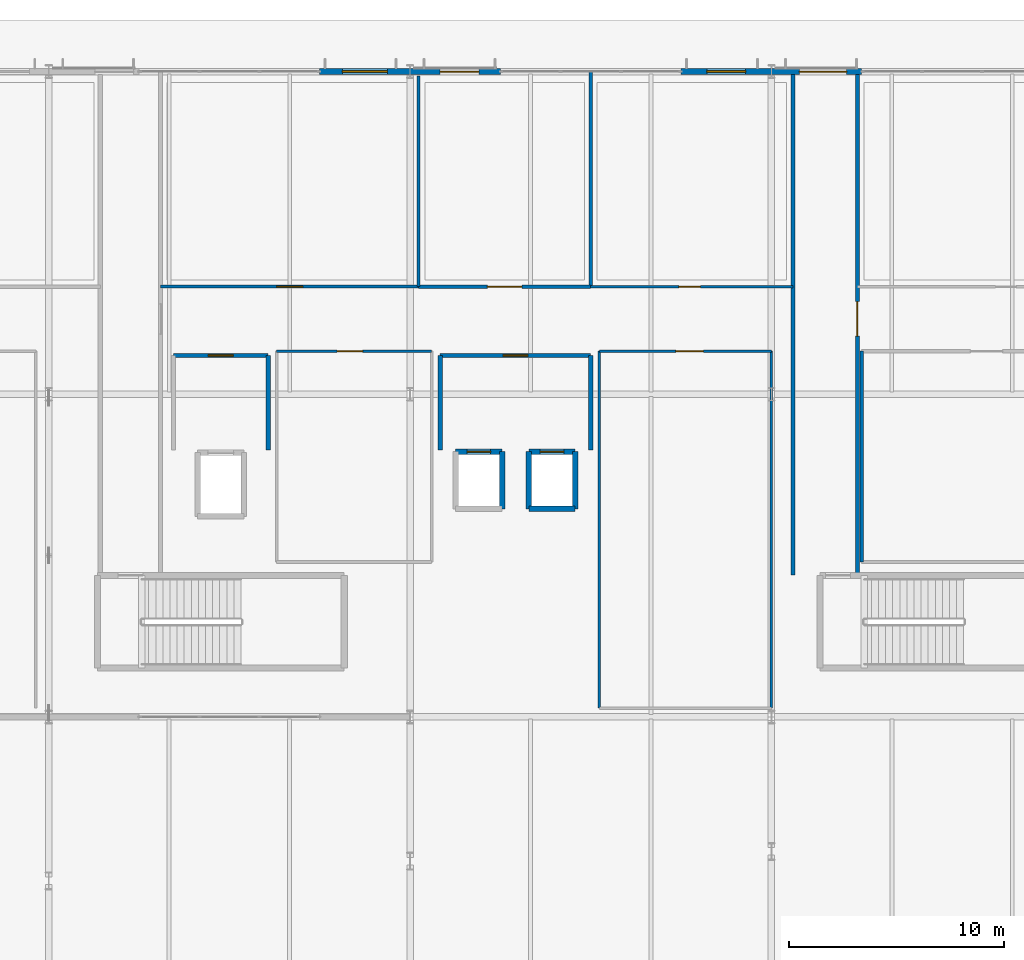
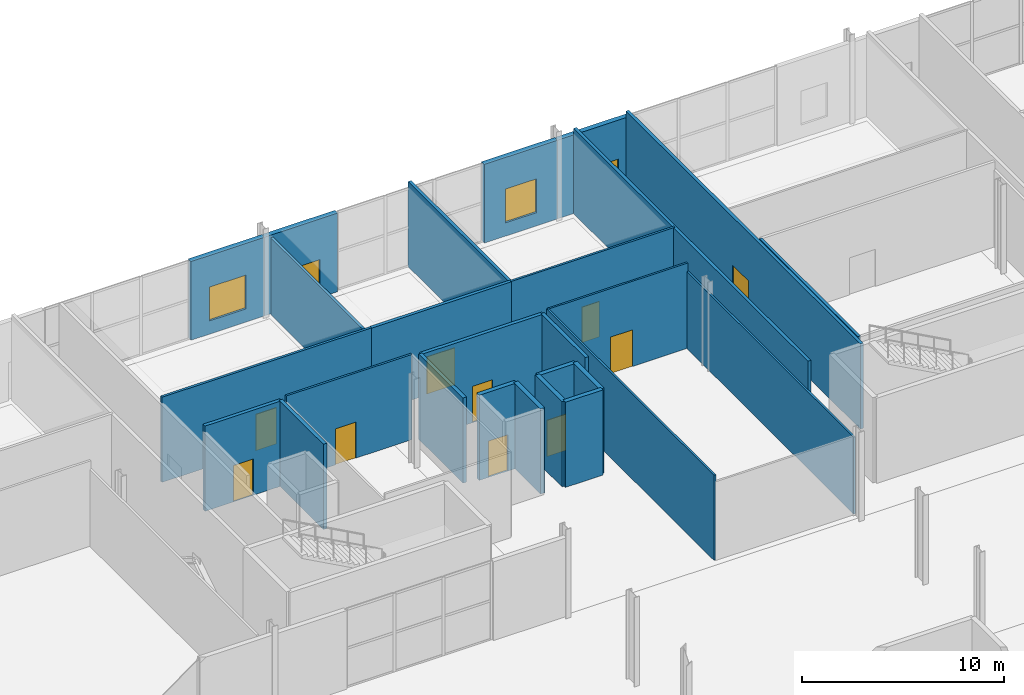
# One storey, part 65 of 87: 27 walls, 12 doors, 2 windows, 14 openings.
"""IFC4 building model written with IfcOpenShell, lengths in metres."""

from ifc_helpers import new_model, si_unit, direction, frame, frame_2d, origin, place, context, subcontext, project, spatial, rectangle, extrude, material, layer, layer_set, type_object, element, fill, save


model = new_model("IFC4")

# Units and contexts
model_context = context("Model", 3, precision=1e-05, world=origin(), true_north=direction((0.0, 1.0)))
body_context = subcontext(model_context, "Body", "Model", "MODEL_VIEW")
ifc_project = project(units=[si_unit("LENGTHUNIT", "METRE"), si_unit("AREAUNIT", "SQUARE_METRE"), si_unit("VOLUMEUNIT", "CUBIC_METRE"), si_unit("PLANEANGLEUNIT", "RADIAN"), si_unit("MASSUNIT", "GRAM", prefix="KILO")], contexts=[model_context])

# Site, building, storey
site_placement = place(None, origin())
site = spatial("IfcSite", under=ifc_project, at=site_placement, CompositionType="ELEMENT")
building_placement = place(site_placement, origin())
building = spatial("IfcBuilding", under=site, at=building_placement, Name="Kimbaza Rail Terminus", CompositionType="ELEMENT")
storey_placement = place(building_placement, origin())
storey = spatial("IfcBuildingStorey", under=building, at=storey_placement, Name="L00", CompositionType="ELEMENT", Elevation=0.0)

# Wall, opening, window
ifc_material_1 = material(Name="Precast concrete C40/50", Category="concrete")
ifc_layer_1 = layer(ifc_material_1, 0.280029296875)
ifc_layer_set_1 = layer_set([ifc_layer_1], Name="Precast concrete C40/50")
wall_type_1 = type_object("IfcWallType", Name="ARC-WL-EXT280", PredefinedType="STANDARD", material=ifc_layer_set_1)
wall_1_placement = place(storey_placement, frame((84.60009765625, 133.0, 0.0), z_axis=(0.0, 0.0, 1.0), x_axis=(1.0, 0.0, 0.0)))
wall_1 = element("IfcWall", 1, at=wall_1_placement, inside=storey, type_object=wall_type_1, Name="Operations North Pier L00 1B", PredefinedType="STANDARD", context=body_context, shape_type="SweptSolid", body=[
    extrude(rectangle(XDim=4.199951171875, YDim=0.280029296875, at=frame_2d((2.10009765625, 0.0))), origin(), (0.0, 0.0, 1.0), 4.764892578125),
])
opening_1_placement = place(wall_1_placement, frame((1.050048828125, 0.0, 0.800048828125)))
opening_1 = element("IfcOpeningElement", 2, at=opening_1_placement, cuts=wall_1, Name="Opening W-02", PredefinedType="OPENING", context=body_context, shape_type="SweptSolid", body=[
    extrude(rectangle(XDim=2.10009765625, YDim=2.050048828125, at=frame_2d((1.050048828125, 1.02490234375))), frame((0.0, 0.14990234375, 0.0), z_axis=(0.0, -1.0, 0.0), x_axis=(1.0, 0.0, 0.0)), (0.0, 0.0, 1.0), 0.300048828125),
])
ifc_material_2 = material(Name="Thermally broken aluminium and solar low-E glass", Category="aluminium")
window_type_1 = type_object("IfcWindowType", Name="ARC-WIN-W-02", PartitioningType="SINGLE_PANEL", PredefinedType="WINDOW", material=ifc_material_2)
window_1_placement = place(opening_1_placement, origin())
window_1 = element("IfcWindow", 3, at=window_1_placement, inside=storey, type_object=window_type_1, Name="North Facade Window W-02", OverallHeight=2.050048828125, OverallWidth=2.10009765625, PartitioningType="SINGLE_PANEL", PredefinedType="WINDOW", context=body_context, shape_type="SweptSolid", body=[
    extrude(rectangle(XDim=2.10009765625, YDim=2.050048828125, at=frame_2d((1.050048828125, 1.02490234375))), frame((0.0, 0.030029296875, 0.0), z_axis=(0.0, -1.0, 0.0), x_axis=(1.0, 0.0, 0.0)), (0.0, 0.0, 1.0), 0.06005859375),
])
fill(opening_1, window_1)

# Wall, opening, door
wall_2_placement = place(storey_placement, frame((88.800048828125, 133.0, 0.0), z_axis=(0.0, 0.0, 1.0), x_axis=(1.0, 0.0, 0.0)))
wall_2 = element("IfcWall", 4, at=wall_2_placement, inside=storey, type_object=wall_type_1, Name="Operations North Pier L00 2A", PredefinedType="STANDARD", context=body_context, shape_type="SweptSolid", body=[
    extrude(rectangle(XDim=4.199951171875, YDim=0.280029296875, at=frame_2d((2.10009765625, 0.0))), origin(), (0.0, 0.0, 1.0), 4.764892578125),
])
opening_2_placement = place(wall_2_placement, frame((1.39990234375, 0.0, 0.0)))
opening_2 = element("IfcOpeningElement", 5, at=opening_2_placement, cuts=wall_2, Name="Opening D-EF1", PredefinedType="OPENING", context=body_context, shape_type="SweptSolid", body=[
    extrude(rectangle(XDim=1.800048828125, YDim=2.300048828125, at=frame_2d((0.89990234375, 1.14990234375))), frame((0.0, 0.14990234375, 0.0), z_axis=(0.0, -1.0, 0.0), x_axis=(1.0, 0.0, 0.0)), (0.0, 0.0, 1.0), 0.300048828125),
])
ifc_material_3 = material(Name="Galvanised painted steel security leaf", Category="steel")
door_type_1 = type_object("IfcDoorType", Name="ARC-DR-EF180", OperationType="NOTDEFINED", PredefinedType="DOOR", material=ifc_material_3)
door_1_placement = place(opening_2_placement, origin())
door_1 = element("IfcDoor", 6, at=door_1_placement, inside=storey, type_object=door_type_1, Name="DR-FCC-EXT", OperationType="SINGLE_SWING_LEFT", OverallHeight=2.300048828125, OverallWidth=1.800048828125, PredefinedType="DOOR", context=body_context, shape_type="SweptSolid", body=[
    extrude(rectangle(XDim=1.800048828125, YDim=2.300048828125, at=frame_2d((0.89990234375, 1.14990234375))), frame((0.0, 0.02490234375, 0.0), z_axis=(0.0, -1.0, 0.0), x_axis=(1.0, 0.0, 0.0)), (0.0, 0.0, 1.0), 0.050048828125),
])
fill(opening_2, door_1)

# Wall, opening, window
wall_3_placement = place(storey_placement, frame((101.39990234375, 133.0, 0.0), z_axis=(0.0, 0.0, 1.0), x_axis=(1.0, 0.0, 0.0)))
wall_3 = element("IfcWall", 7, at=wall_3_placement, inside=storey, type_object=wall_type_1, Name="Operations North Pier L00 2B", PredefinedType="STANDARD", context=body_context, shape_type="SweptSolid", body=[
    extrude(rectangle(XDim=4.2001953125, YDim=0.280029296875, at=frame_2d((2.10009765625, 0.0))), origin(), (0.0, 0.0, 1.0), 4.764892578125),
])
opening_3_placement = place(wall_3_placement, frame((1.199951171875, 0.0, 0.800048828125)))
opening_3 = element("IfcOpeningElement", 8, at=opening_3_placement, cuts=wall_3, Name="Opening W-03", PredefinedType="OPENING", context=body_context, shape_type="SweptSolid", body=[
    extrude(rectangle(XDim=1.800048828125, YDim=2.050048828125, at=frame_2d((0.89990234375, 1.02490234375))), frame((0.0, 0.14990234375, 0.0), z_axis=(0.0, -1.0, 0.0), x_axis=(1.0, 0.0, 0.0)), (0.0, 0.0, 1.0), 0.300048828125),
])
ifc_material_4 = material(Name="Thermally broken aluminium and solar low-E glass", Category="aluminium")
window_type_2 = type_object("IfcWindowType", Name="ARC-WIN-W-03", PartitioningType="SINGLE_PANEL", PredefinedType="WINDOW", material=ifc_material_4)
window_2_placement = place(opening_3_placement, origin())
window_2 = element("IfcWindow", 9, at=window_2_placement, inside=storey, type_object=window_type_2, Name="North Facade Window W-03", OverallHeight=2.050048828125, OverallWidth=1.800048828125, PartitioningType="SINGLE_PANEL", PredefinedType="WINDOW", context=body_context, shape_type="SweptSolid", body=[
    extrude(rectangle(XDim=1.800048828125, YDim=2.050048828125, at=frame_2d((0.89990234375, 1.02490234375))), frame((0.0, 0.030029296875, 0.0), z_axis=(0.0, -1.0, 0.0), x_axis=(1.0, 0.0, 0.0)), (0.0, 0.0, 1.0), 0.06005859375),
])
fill(opening_3, window_2)

# Wall, opening, door
wall_4_placement = place(storey_placement, frame((105.60009765625, 133.0, 0.0), z_axis=(0.0, 0.0, 1.0), x_axis=(1.0, 0.0, 0.0)))
wall_4 = element("IfcWall", 10, at=wall_4_placement, inside=storey, type_object=wall_type_1, Name="Operations North Pier L00 3A", PredefinedType="STANDARD", context=body_context, shape_type="SweptSolid", body=[
    extrude(rectangle(XDim=4.199951171875, YDim=0.280029296875, at=frame_2d((2.10009765625, 0.0))), origin(), (0.0, 0.0, 1.0), 4.764892578125),
])
opening_4_placement = place(wall_4_placement, frame((1.300048828125, 0.0, 0.0)))
opening_4 = element("IfcOpeningElement", 11, at=opening_4_placement, cuts=wall_4, Name="Opening D-EX2", PredefinedType="OPENING", context=body_context, shape_type="SweptSolid", body=[
    extrude(rectangle(XDim=2.199951171875, YDim=2.39990234375, at=frame_2d((1.10009765625, 1.199951171875))), frame((0.0, 0.14990234375, 0.0), z_axis=(0.0, -1.0, 0.0), x_axis=(1.0, 0.0, 0.0)), (0.0, 0.0, 1.0), 0.300048828125),
])
ifc_material_5 = material(Name="Anodised aluminium and toughened safety glass", Category="aluminium")
door_type_2 = type_object("IfcDoorType", Name="ARC-DR-EX220", OperationType="NOTDEFINED", PredefinedType="DOOR", material=ifc_material_5)
door_2_placement = place(opening_4_placement, origin())
door_2 = element("IfcDoor", 12, at=door_2_placement, inside=storey, type_object=door_type_2, Name="DR-EX-STM1", OperationType="SINGLE_SWING_RIGHT", OverallHeight=2.39990234375, OverallWidth=2.199951171875, PredefinedType="DOOR", context=body_context, shape_type="SweptSolid", body=[
    extrude(rectangle(XDim=2.199951171875, YDim=2.39990234375, at=frame_2d((1.10009765625, 1.199951171875))), frame((0.0, 0.02490234375, 0.0), z_axis=(0.0, -1.0, 0.0), x_axis=(1.0, 0.0, 0.0)), (0.0, 0.0, 1.0), 0.050048828125),
])
fill(opening_4, door_2)

ifc_material_6 = material(Name="Concrete blockwork C30/37", Category="masonry")
ifc_layer_2 = layer(ifc_material_6, 0.179931640625)
ifc_layer_set_2 = layer_set([ifc_layer_2], Name="Concrete blockwork C30/37")
wall_type_2 = type_object("IfcWallType", Name="ARC-WL-FIRE180", PredefinedType="PARTITIONING", material=ifc_layer_set_2)
wall_5_placement = place(storey_placement, frame((109.60009765625, 109.60009765625, 0.0), z_axis=(0.0, 0.0, 1.0), x_axis=(0.0, 1.0, 0.0)))
wall_5 = element("IfcWall", 13, at=wall_5_placement, inside=storey, type_object=wall_type_2, Name="Protected Exit Corridor ST-M1 Partition (east)", PredefinedType="PARTITIONING", context=body_context, shape_type="SweptSolid", body=[
    extrude(rectangle(XDim=23.260009765625, YDim=0.179931640625, at=frame_2d((11.6298828125, 0.0))), origin(), (0.0, 0.0, 1.0), 5.159912109375),
])
opening_5_placement = place(wall_5_placement, frame((11.10009765625, 0.0, 0.0)))
opening_5 = element("IfcOpeningElement", 14, at=opening_5_placement, cuts=wall_5, Name="Opening FD-05", PredefinedType="OPENING", context=body_context, shape_type="SweptSolid", body=[
    extrude(rectangle(XDim=1.60009765625, YDim=2.25, at=frame_2d((0.800048828125, 1.125))), frame((0.0, 0.099853515625, 0.0), z_axis=(0.0, -1.0, 0.0), x_axis=(1.0, 0.0, 0.0)), (0.0, 0.0, 1.0), 0.199951171875),
])
ifc_material_7 = material(Name="Substation double-leaf steel fire door", Category="steel")
door_type_3 = type_object("IfcDoorType", Name="ARC-DR-FD160", OperationType="NOTDEFINED", PredefinedType="DOOR", material=ifc_material_7)
door_3_placement = place(opening_5_placement, origin())
door_3 = element("IfcDoor", 15, at=door_3_placement, inside=storey, type_object=door_type_3, Name="IDR-SPC-EXV-STM1", OperationType="SINGLE_SWING_LEFT", OverallHeight=2.25, OverallWidth=1.60009765625, PredefinedType="DOOR", context=body_context, shape_type="SweptSolid", body=[
    extrude(rectangle(XDim=1.60009765625, YDim=2.25, at=frame_2d((0.800048828125, 1.125))), frame((0.0, 0.02490234375, 0.0), z_axis=(0.0, -1.0, 0.0), x_axis=(1.0, 0.0, 0.0)), (0.0, 0.0, 1.0), 0.050048828125),
])
fill(opening_5, door_3)

# Wall
wall_6_placement = place(storey_placement, frame((106.60009765625, 132.860107421875, 0.0), z_axis=(0.0, 0.0, 1.0), x_axis=(0.0, -1.0, 0.0)))
element("IfcWall", 16, at=wall_6_placement, inside=storey, type_object=wall_type_2, Name="Protected Exit Corridor ST-M1 Partition (west)", PredefinedType="PARTITIONING", context=body_context, shape_type="SweptSolid", body=[
    extrude(rectangle(XDim=23.260009765625, YDim=0.179931640625, at=frame_2d((11.6298828125, 0.0))), origin(), (0.0, 0.0, 1.0), 5.159912109375),
])

# Wall, opening, door
wall_7_placement = place(storey_placement, frame((89.199951171875, 123.0, 0.0), z_axis=(0.0, 0.0, 1.0), x_axis=(1.0, 0.0, 0.0)))
wall_7 = element("IfcWall", 17, at=wall_7_placement, inside=storey, type_object=wall_type_2, Name="Fire Command Centre Partition (south)", PredefinedType="PARTITIONING", context=body_context, shape_type="SweptSolid", body=[
    extrude(rectangle(XDim=8.0, YDim=0.179931640625, at=frame_2d((4.0, 0.0))), origin(), (0.0, 0.0, 1.0), 5.159912109375),
])
opening_6_placement = place(wall_7_placement, frame((4.800048828125, 0.0, 0.0), z_axis=(0.0, 0.0, 1.0), x_axis=(-1.0, 0.0, 0.0)))
opening_6 = element("IfcOpeningElement", 18, at=opening_6_placement, cuts=wall_7, Name="Opening FD-05", PredefinedType="OPENING", context=body_context, shape_type="SweptSolid", body=[
    extrude(rectangle(XDim=1.60009765625, YDim=2.25, at=frame_2d((0.800048828125, 1.125))), frame((0.0, 0.099853515625, 0.0), z_axis=(0.0, -1.0, 0.0), x_axis=(1.0, 0.0, 0.0)), (0.0, 0.0, 1.0), 0.199951171875),
])
door_4_placement = place(opening_6_placement, origin())
door_4 = element("IfcDoor", 19, at=door_4_placement, inside=storey, type_object=door_type_3, Name="IDR-SPC-V5N-L00-03", OperationType="SINGLE_SWING_LEFT", OverallHeight=2.25, OverallWidth=1.60009765625, PredefinedType="DOOR", context=body_context, shape_type="SweptSolid", body=[
    extrude(rectangle(XDim=1.60009765625, YDim=2.25, at=frame_2d((0.800048828125, 1.125))), frame((0.0, 0.02490234375, 0.0), z_axis=(0.0, -1.0, 0.0), x_axis=(1.0, 0.0, 0.0)), (0.0, 0.0, 1.0), 0.050048828125),
])
fill(opening_6, door_4)

# Walls
wall_8_placement = place(storey_placement, frame((97.199951171875, 123.0, 0.0), z_axis=(0.0, 0.0, 1.0), x_axis=(0.0, 1.0, 0.0)))
element("IfcWall", 20, at=wall_8_placement, inside=storey, type_object=wall_type_2, Name="Fire Command Centre Partition (east)", PredefinedType="PARTITIONING", context=body_context, shape_type="SweptSolid", body=[
    extrude(rectangle(XDim=9.97998046875, YDim=0.179931640625, at=frame_2d((4.989990234375, 0.0))), origin(), (0.0, 0.0, 1.0), 5.159912109375),
])
ifc_material_8 = material(Name="Concrete blockwork C30/37", Category="masonry")
ifc_layer_3 = layer(ifc_material_8, 0.199951171875)
ifc_layer_set_3 = layer_set([ifc_layer_3], Name="Concrete blockwork C30/37")
wall_type_3 = type_object("IfcWallType", Name="ARC-WL-FIRE200", PredefinedType="PARTITIONING", material=ifc_layer_set_3)
wall_9_placement = place(storey_placement, frame((82.199951171875, 115.39990234375, 0.0), z_axis=(0.0, 0.0, 1.0), x_axis=(0.0, 1.0, 0.0)))
element("IfcWall", 21, at=wall_9_placement, inside=storey, type_object=wall_type_3, Name="Firefighting Lobby LF-01 Partition (east)", PredefinedType="PARTITIONING", context=body_context, shape_type="SweptSolid", body=[
    extrude(rectangle(XDim=4.400146484375, YDim=0.199951171875, at=frame_2d((2.2001953125, 0.0))), origin(), (0.0, 0.0, 1.0), 5.159912109375),
])

# Wall, opening, door
wall_10_placement = place(storey_placement, frame((82.199951171875, 119.800048828125, 0.0), z_axis=(0.0, 0.0, 1.0), x_axis=(-1.0, 0.0, 0.0)))
wall_10 = element("IfcWall", 22, at=wall_10_placement, inside=storey, type_object=wall_type_3, Name="Firefighting Lobby LF-01 Partition (north)", PredefinedType="PARTITIONING", context=body_context, shape_type="SweptSolid", body=[
    extrude(rectangle(XDim=4.39990234375, YDim=0.199951171875, at=frame_2d((2.199951171875, 0.0))), origin(), (0.0, 0.0, 1.0), 5.159912109375),
])
opening_7_placement = place(wall_10_placement, frame((1.625, 0.0, 0.0)))
opening_7 = element("IfcOpeningElement", 23, at=opening_7_placement, cuts=wall_10, Name="Opening FD-03", PredefinedType="OPENING", context=body_context, shape_type="SweptSolid", body=[
    extrude(rectangle(XDim=1.14990234375, YDim=2.199951171875, at=frame_2d((0.574951171875, 1.10009765625))), frame((0.0, 0.10986328125, 0.0), z_axis=(0.0, -1.0, 0.0), x_axis=(1.0, 0.0, 0.0)), (0.0, 0.0, 1.0), 0.219970703125),
])
ifc_material_9 = material(Name="Firefighting lobby self-closing steel door", Category="steel")
door_type_4 = type_object("IfcDoorType", Name="ARC-DR-FD115", OperationType="NOTDEFINED", PredefinedType="DOOR", material=ifc_material_9)
door_5_placement = place(opening_7_placement, origin())
door_5 = element("IfcDoor", 24, at=door_5_placement, inside=storey, type_object=door_type_4, Name="IDR-SPC-FFL-LF-01-L00", OperationType="SINGLE_SWING_RIGHT", OverallHeight=2.199951171875, OverallWidth=1.14990234375, PredefinedType="DOOR", context=body_context, shape_type="SweptSolid", body=[
    extrude(rectangle(XDim=1.14990234375, YDim=2.199951171875, at=frame_2d((0.574951171875, 1.10009765625))), frame((0.0, 0.02490234375, 0.0), z_axis=(0.0, -1.0, 0.0), x_axis=(1.0, 0.0, 0.0)), (0.0, 0.0, 1.0), 0.050048828125),
])
fill(opening_7, door_5)

# Wall
wall_11_placement = place(storey_placement, frame((97.199951171875, 115.39990234375, 0.0), z_axis=(0.0, 0.0, 1.0), x_axis=(0.0, 1.0, 0.0)))
element("IfcWall", 25, at=wall_11_placement, inside=storey, type_object=wall_type_3, Name="Operations Lift Lobby L00 Partition (east)", PredefinedType="PARTITIONING", context=body_context, shape_type="SweptSolid", body=[
    extrude(rectangle(XDim=4.400146484375, YDim=0.199951171875, at=frame_2d((2.2001953125, 0.0))), origin(), (0.0, 0.0, 1.0), 5.159912109375),
])

# Wall, opening, door
wall_12_placement = place(storey_placement, frame((97.199951171875, 119.800048828125, 0.0), z_axis=(0.0, 0.0, 1.0), x_axis=(-1.0, 0.0, 0.0)))
wall_12 = element("IfcWall", 26, at=wall_12_placement, inside=storey, type_object=wall_type_3, Name="Operations Lift Lobby L00 Partition (north)", PredefinedType="PARTITIONING", context=body_context, shape_type="SweptSolid", body=[
    extrude(rectangle(XDim=7.0, YDim=0.199951171875, at=frame_2d((3.5, 0.0))), origin(), (0.0, 0.0, 1.0), 5.159912109375),
])
opening_8_placement = place(wall_12_placement, frame((2.925048828125, 0.0, 0.0)))
opening_8 = element("IfcOpeningElement", 27, at=opening_8_placement, cuts=wall_12, Name="Opening FD-03", PredefinedType="OPENING", context=body_context, shape_type="SweptSolid", body=[
    extrude(rectangle(XDim=1.14990234375, YDim=2.199951171875, at=frame_2d((0.574951171875, 1.10009765625))), frame((0.0, 0.10986328125, 0.0), z_axis=(0.0, -1.0, 0.0), x_axis=(1.0, 0.0, 0.0)), (0.0, 0.0, 1.0), 0.219970703125),
])
door_6_placement = place(opening_8_placement, origin())
door_6 = element("IfcDoor", 28, at=door_6_placement, inside=storey, type_object=door_type_4, Name="IDR-SPC-LLOB-V5-L00", OperationType="SINGLE_SWING_RIGHT", OverallHeight=2.199951171875, OverallWidth=1.14990234375, PredefinedType="DOOR", context=body_context, shape_type="SweptSolid", body=[
    extrude(rectangle(XDim=1.14990234375, YDim=2.199951171875, at=frame_2d((0.574951171875, 1.10009765625))), frame((0.0, 0.02490234375, 0.0), z_axis=(0.0, -1.0, 0.0), x_axis=(1.0, 0.0, 0.0)), (0.0, 0.0, 1.0), 0.050048828125),
])
fill(opening_8, door_6)

# Walls
wall_13_placement = place(storey_placement, frame((90.199951171875, 119.800048828125, 0.0), z_axis=(0.0, 0.0, 1.0), x_axis=(0.0, -1.0, 0.0)))
element("IfcWall", 29, at=wall_13_placement, inside=storey, type_object=wall_type_3, Name="Operations Lift Lobby L00 Partition (west)", PredefinedType="PARTITIONING", context=body_context, shape_type="SweptSolid", body=[
    extrude(rectangle(XDim=4.400146484375, YDim=0.199951171875, at=frame_2d((2.2001953125, 0.0))), origin(), (0.0, 0.0, 1.0), 5.159912109375),
])
ifc_material_10 = material(Name="Demountable acoustic glass wall", Category="glass")
ifc_layer_4 = layer(ifc_material_10, 0.110107421875)
ifc_layer_set_4 = layer_set([ifc_layer_4], Name="Demountable acoustic glass wall")
wall_type_4 = type_object("IfcWallType", Name="ARC-WL-MOV110", PredefinedType="MOVABLE", material=ifc_layer_set_4)
wall_14_placement = place(storey_placement, frame((105.60009765625, 103.39990234375, 0.0), z_axis=(0.0, 0.0, 1.0), x_axis=(0.0, 1.0, 0.0)))
element("IfcWall", 30, at=wall_14_placement, inside=storey, type_object=wall_type_4, Name="L00 Network Dispatch Briefing Room Partition (east)", PredefinedType="MOVABLE", context=body_context, shape_type="SweptSolid", body=[
    extrude(rectangle(XDim=16.60009765625, YDim=0.110107421875, at=frame_2d((8.300048828125, 0.0))), origin(), (0.0, 0.0, 1.0), 4.655029296875),
])

# Wall, opening, door
wall_15_placement = place(storey_placement, frame((105.60009765625, 120.0, 0.0), z_axis=(0.0, 0.0, 1.0), x_axis=(-1.0, 0.0, 0.0)))
wall_15 = element("IfcWall", 31, at=wall_15_placement, inside=storey, type_object=wall_type_4, Name="L00 Network Dispatch Briefing Room Partition (north)", PredefinedType="MOVABLE", context=body_context, shape_type="SweptSolid", body=[
    extrude(rectangle(XDim=8.0, YDim=0.110107421875, at=frame_2d((4.0, 0.0))), origin(), (0.0, 0.0, 1.0), 5.159912109375),
])
opening_9_placement = place(wall_15_placement, frame((3.159912109375, 0.0, 0.0)))
opening_9 = element("IfcOpeningElement", 32, at=opening_9_placement, cuts=wall_15, Name="Opening ID-12", PredefinedType="OPENING", context=body_context, shape_type="SweptSolid", body=[
    extrude(rectangle(XDim=1.280029296875, YDim=2.219970703125, at=frame_2d((0.64013671875, 1.10986328125))), frame((0.0, 0.06494140625, 0.0), z_axis=(0.0, -1.0, 0.0), x_axis=(1.0, 0.0, 0.0)), (0.0, 0.0, 1.0), 0.130126953125),
])
ifc_material_11 = material(Name="Engineering studio double-seal door", Category="wood")
door_type_5 = type_object("IfcDoorType", Name="ARC-DR-ID128", OperationType="NOTDEFINED", PredefinedType="DOOR", material=ifc_material_11)
door_7_placement = place(opening_9_placement, origin())
door_7 = element("IfcDoor", 33, at=door_7_placement, inside=storey, type_object=door_type_5, Name="IDR-SPC-V5S-L00-3", OperationType="SINGLE_SWING_LEFT", OverallHeight=2.219970703125, OverallWidth=1.280029296875, PredefinedType="DOOR", context=body_context, shape_type="SweptSolid", body=[
    extrude(rectangle(XDim=1.280029296875, YDim=2.219970703125, at=frame_2d((0.64013671875, 1.10986328125))), frame((0.0, 0.02490234375, 0.0), z_axis=(0.0, -1.0, 0.0), x_axis=(1.0, 0.0, 0.0)), (0.0, 0.0, 1.0), 0.050048828125),
])
fill(opening_9, door_7)

# Wall
wall_16_placement = place(storey_placement, frame((97.60009765625, 120.0, 0.0), z_axis=(0.0, 0.0, 1.0), x_axis=(0.0, -1.0, 0.0)))
element("IfcWall", 34, at=wall_16_placement, inside=storey, type_object=wall_type_4, Name="L00 Network Dispatch Briefing Room Partition (west)", PredefinedType="MOVABLE", context=body_context, shape_type="SweptSolid", body=[
    extrude(rectangle(XDim=16.60009765625, YDim=0.110107421875, at=frame_2d((8.300048828125, 0.0))), origin(), (0.0, 0.0, 1.0), 5.159912109375),
])

# Wall, opening, door
ifc_material_12 = material(Name="Moisture-resistant stud wall", Category="gypsum")
ifc_layer_5 = layer(ifc_material_12, 0.1201171875)
ifc_layer_set_5 = layer_set([ifc_layer_5], Name="Moisture-resistant stud wall")
wall_type_5 = type_object("IfcWallType", Name="ARC-WL-PART120", PredefinedType="PARTITIONING", material=ifc_layer_set_5)
wall_17_placement = place(storey_placement, frame((97.199951171875, 123.0, 0.0), z_axis=(0.0, 0.0, 1.0), x_axis=(1.0, 0.0, 0.0)))
wall_17 = element("IfcWall", 35, at=wall_17_placement, inside=storey, type_object=wall_type_5, Name="Passenger Medical and First Aid Clinic Partition (south)", PredefinedType="PARTITIONING", context=body_context, shape_type="SweptSolid", body=[
    extrude(rectangle(XDim=9.400146484375, YDim=0.1201171875, at=frame_2d((4.7001953125, 0.0))), origin(), (0.0, 0.0, 1.0), 5.159912109375),
])
opening_10_placement = place(wall_17_placement, frame((4.10009765625, 0.0, 0.0)))
opening_10 = element("IfcOpeningElement", 36, at=opening_10_placement, cuts=wall_17, Name="Opening ID-05", PredefinedType="OPENING", context=body_context, shape_type="SweptSolid", body=[
    extrude(rectangle(XDim=1.0, YDim=2.14990234375, at=frame_2d((0.5, 1.074951171875))), frame((0.0, 0.070068359375, 0.0), z_axis=(0.0, -1.0, 0.0), x_axis=(1.0, 0.0, 0.0)), (0.0, 0.0, 1.0), 0.14013671875),
])
ifc_material_13 = material(Name="Hardwood veneer staff room door", Category="wood")
door_type_6 = type_object("IfcDoorType", Name="ARC-DR-ID100", OperationType="NOTDEFINED", PredefinedType="DOOR", material=ifc_material_13)
door_8_placement = place(opening_10_placement, origin())
door_8 = element("IfcDoor", 37, at=door_8_placement, inside=storey, type_object=door_type_6, Name="IDR-SPC-V5N-L00-04", OperationType="SINGLE_SWING_RIGHT", OverallHeight=2.14990234375, OverallWidth=1.0, PredefinedType="DOOR", context=body_context, shape_type="SweptSolid", body=[
    extrude(rectangle(XDim=1.0, YDim=2.14990234375, at=frame_2d((0.5, 1.074951171875))), frame((0.0, 0.02490234375, 0.0), z_axis=(0.0, -1.0, 0.0), x_axis=(1.0, 0.0, 0.0)), (0.0, 0.0, 1.0), 0.050048828125),
])
fill(opening_10, door_8)

wall_18_placement = place(storey_placement, frame((89.800048828125, 120.0, 0.0), z_axis=(0.0, 0.0, 1.0), x_axis=(-1.0, 0.0, 0.0)))
wall_18 = element("IfcWall", 38, at=wall_18_placement, inside=storey, type_object=wall_type_5, Name="L00 Traction Metering Workshop Partition (north)", PredefinedType="PARTITIONING", context=body_context, shape_type="SweptSolid", body=[
    extrude(rectangle(XDim=7.199951171875, YDim=0.1201171875, at=frame_2d((3.60009765625, 0.0))), origin(), (0.0, 0.0, 1.0), 5.159912109375),
])
opening_11_placement = place(wall_18_placement, frame((3.2099609375, 0.0, 0.0)))
opening_11 = element("IfcOpeningElement", 39, at=opening_11_placement, cuts=wall_18, Name="Opening ID-11", PredefinedType="OPENING", context=body_context, shape_type="SweptSolid", body=[
    extrude(rectangle(XDim=1.179931640625, YDim=2.179931640625, at=frame_2d((0.58984375, 1.08984375))), frame((0.0, 0.070068359375, 0.0), z_axis=(0.0, -1.0, 0.0), x_axis=(1.0, 0.0, 0.0)), (0.0, 0.0, 1.0), 0.14013671875),
])
ifc_material_14 = material(Name="Broadcast studio acoustic door", Category="wood")
door_type_7 = type_object("IfcDoorType", Name="ARC-DR-ID118", OperationType="NOTDEFINED", PredefinedType="DOOR", material=ifc_material_14)
door_9_placement = place(opening_11_placement, origin())
door_9 = element("IfcDoor", 40, at=door_9_placement, inside=storey, type_object=door_type_7, Name="IDR-SPC-V5S-L00-2", OperationType="SINGLE_SWING_RIGHT", OverallHeight=2.179931640625, OverallWidth=1.179931640625, PredefinedType="DOOR", context=body_context, shape_type="SweptSolid", body=[
    extrude(rectangle(XDim=1.179931640625, YDim=2.179931640625, at=frame_2d((0.58984375, 1.08984375))), frame((0.0, 0.02490234375, 0.0), z_axis=(0.0, -1.0, 0.0), x_axis=(1.0, 0.0, 0.0)), (0.0, 0.0, 1.0), 0.050048828125),
])
fill(opening_11, door_9)

ifc_material_15 = material(Name="Acoustic gypsum stud partition", Category="gypsum")
ifc_layer_6 = layer(ifc_material_15, 0.139892578125)
ifc_layer_set_6 = layer_set([ifc_layer_6], Name="Acoustic gypsum stud partition")
wall_type_6 = type_object("IfcWallType", Name="ARC-WL-PART140", PredefinedType="PARTITIONING", material=ifc_layer_set_6)
wall_19_placement = place(storey_placement, frame((77.199951171875, 123.0, 0.0), z_axis=(0.0, 0.0, 1.0), x_axis=(1.0, 0.0, 0.0)))
wall_19 = element("IfcWall", 41, at=wall_19_placement, inside=storey, type_object=wall_type_6, Name="Station Security Control Room Partition (south)", PredefinedType="PARTITIONING", context=body_context, shape_type="SweptSolid", body=[
    extrude(rectangle(XDim=12.0, YDim=0.139892578125, at=frame_2d((6.0, 0.0))), origin(), (0.0, 0.0, 1.0), 5.159912109375),
])
opening_12_placement = place(wall_19_placement, frame((5.39990234375, 0.0, 0.0)))
opening_12 = element("IfcOpeningElement", 42, at=opening_12_placement, cuts=wall_19, Name="Opening ID-03", PredefinedType="OPENING", context=body_context, shape_type="SweptSolid", body=[
    extrude(rectangle(XDim=1.199951171875, YDim=2.199951171875, at=frame_2d((0.60009765625, 1.10009765625))), frame((0.0, 0.079833984375, 0.0), z_axis=(0.0, -1.0, 0.0), x_axis=(1.0, 0.0, 0.0)), (0.0, 0.0, 1.0), 0.159912109375),
])
ifc_material_16 = material(Name="Hardwood veneer acoustic room door", Category="wood")
door_type_8 = type_object("IfcDoorType", Name="ARC-DR-ID120", OperationType="NOTDEFINED", PredefinedType="DOOR", material=ifc_material_16)
door_10_placement = place(opening_12_placement, origin())
door_10 = element("IfcDoor", 43, at=door_10_placement, inside=storey, type_object=door_type_8, Name="IDR-SPC-V5N-L00-02", OperationType="SINGLE_SWING_RIGHT", OverallHeight=2.199951171875, OverallWidth=1.199951171875, PredefinedType="DOOR", context=body_context, shape_type="SweptSolid", body=[
    extrude(rectangle(XDim=1.199951171875, YDim=2.199951171875, at=frame_2d((0.60009765625, 1.10009765625))), frame((0.0, 0.02490234375, 0.0), z_axis=(0.0, -1.0, 0.0), x_axis=(1.0, 0.0, 0.0)), (0.0, 0.0, 1.0), 0.050048828125),
])
fill(opening_12, door_10)

# Walls
wall_20_placement = place(storey_placement, frame((89.199951171875, 123.0, 0.0), z_axis=(0.0, 0.0, 1.0), x_axis=(0.0, 1.0, 0.0)))
element("IfcWall", 44, at=wall_20_placement, inside=storey, type_object=wall_type_6, Name="Station Security Control Room Partition (east)", PredefinedType="PARTITIONING", context=body_context, shape_type="SweptSolid", body=[
    extrude(rectangle(XDim=9.800048828125, YDim=0.139892578125, at=frame_2d((4.89990234375, 0.0))), origin(), (0.0, 0.0, 1.0), 4.655029296875),
])
ifc_material_17 = material(Name="Acoustic gypsum stud partition", Category="gypsum")
ifc_layer_7 = layer(ifc_material_17, 0.159912109375)
ifc_layer_set_7 = layer_set([ifc_layer_7], Name="Acoustic gypsum stud partition")
wall_type_7 = type_object("IfcWallType", Name="ARC-WL-PART160", PredefinedType="PARTITIONING", material=ifc_layer_set_7)
wall_21_placement = place(storey_placement, frame((109.800048828125, 120.0, 0.0), z_axis=(0.0, 0.0, 1.0), x_axis=(0.0, -1.0, 0.0)))
element("IfcWall", 45, at=wall_21_placement, inside=storey, type_object=wall_type_7, Name="L00 Rolling Stock Rostering Studio Partition (west)", PredefinedType="PARTITIONING", context=body_context, shape_type="SweptSolid", body=[
    extrude(rectangle(XDim=9.800048828125, YDim=0.159912109375, at=frame_2d((4.89990234375, 0.0))), origin(), (0.0, 0.0, 1.0), 5.159912109375),
])
ifc_material_18 = material(Name="Concrete C40/50", Category="concrete")
ifc_layer_8 = layer(ifc_material_18, 0.25)
ifc_layer_set_8 = layer_set([ifc_layer_8], Name="Concrete C40/50")
wall_type_8 = type_object("IfcWallType", Name="STR-WL-CORE250", PredefinedType="SHEAR", material=ifc_layer_set_8)
wall_22_placement = place(storey_placement, frame((93.080078125, 112.669921875, 0.0), z_axis=(0.0, 0.0, 1.0), x_axis=(0.0, 1.0, 0.0)))
element("IfcWall", 46, at=wall_22_placement, inside=storey, type_object=wall_type_8, Name="Lift Shaft Wall LP-08 L00-2", PredefinedType="SHEAR", context=body_context, shape_type="SweptSolid", body=[
    extrude(rectangle(XDim=2.66015625, YDim=0.25, at=frame_2d((1.330078125, 0.0))), origin(), (0.0, 0.0, 1.0), 5.159912109375),
])

# Wall, opening, door
wall_23_placement = place(storey_placement, frame((93.080078125, 115.330078125, 0.0), z_axis=(0.0, 0.0, 1.0), x_axis=(-1.0, 0.0, 0.0)))
wall_23 = element("IfcWall", 47, at=wall_23_placement, inside=storey, type_object=wall_type_8, Name="Lift Shaft Wall LP-08 L00-3", PredefinedType="SHEAR", context=body_context, shape_type="SweptSolid", body=[
    extrude(rectangle(XDim=2.16015625, YDim=0.25, at=frame_2d((1.080078125, 0.0))), origin(), (0.0, 0.0, 1.0), 5.159912109375),
])
opening_13_placement = place(wall_23_placement, frame((0.530029296875, 0.0, 0.0)))
opening_13 = element("IfcOpeningElement", 48, at=opening_13_placement, cuts=wall_23, Name="Opening LD-01", PredefinedType="OPENING", context=body_context, shape_type="SweptSolid", body=[
    extrude(rectangle(XDim=1.10009765625, YDim=2.199951171875, at=frame_2d((0.550048828125, 1.10009765625))), frame((0.0, 0.135009765625, 0.0), z_axis=(0.0, -1.0, 0.0), x_axis=(1.0, 0.0, 0.0)), (0.0, 0.0, 1.0), 0.27001953125),
])
ifc_material_19 = material(Name="Brushed stainless steel sliding landing door", Category="steel")
door_type_9 = type_object("IfcDoorType", Name="ARC-DR-LD110", OperationType="NOTDEFINED", PredefinedType="DOOR", material=ifc_material_19)
door_11_placement = place(opening_13_placement, origin())
door_11 = element("IfcDoor", 49, at=door_11_placement, inside=storey, type_object=door_type_9, Name="LDR-LP-08-L00", OperationType="SLIDING_TO_RIGHT", OverallHeight=2.199951171875, OverallWidth=1.10009765625, PredefinedType="DOOR", context=body_context, shape_type="SweptSolid", body=[
    extrude(rectangle(XDim=1.10009765625, YDim=2.199951171875, at=frame_2d((0.550048828125, 1.10009765625))), frame((0.0, 0.02490234375, 0.0), z_axis=(0.0, -1.0, 0.0), x_axis=(1.0, 0.0, 0.0)), (0.0, 0.0, 1.0), 0.050048828125),
])
fill(opening_13, door_11)

# Walls
wall_24_placement = place(storey_placement, frame((94.320068359375, 112.669921875, 0.0), z_axis=(0.0, 0.0, 1.0), x_axis=(1.0, 0.0, 0.0)))
element("IfcWall", 50, at=wall_24_placement, inside=storey, type_object=wall_type_8, Name="Lift Shaft Wall LP-09 L00-1", PredefinedType="SHEAR", context=body_context, shape_type="SweptSolid", body=[
    extrude(rectangle(XDim=2.159912109375, YDim=0.25, at=frame_2d((1.080078125, 0.0))), origin(), (0.0, 0.0, 1.0), 5.159912109375),
])
wall_25_placement = place(storey_placement, frame((96.47998046875, 112.669921875, 0.0), z_axis=(0.0, 0.0, 1.0), x_axis=(0.0, 1.0, 0.0)))
element("IfcWall", 51, at=wall_25_placement, inside=storey, type_object=wall_type_8, Name="Lift Shaft Wall LP-09 L00-2", PredefinedType="SHEAR", context=body_context, shape_type="SweptSolid", body=[
    extrude(rectangle(XDim=2.66015625, YDim=0.25, at=frame_2d((1.330078125, 0.0))), origin(), (0.0, 0.0, 1.0), 5.159912109375),
])

# Wall, opening, door
wall_26_placement = place(storey_placement, frame((96.47998046875, 115.330078125, 0.0), z_axis=(0.0, 0.0, 1.0), x_axis=(-1.0, 0.0, 0.0)))
wall_26 = element("IfcWall", 52, at=wall_26_placement, inside=storey, type_object=wall_type_8, Name="Lift Shaft Wall LP-09 L00-3", PredefinedType="SHEAR", context=body_context, shape_type="SweptSolid", body=[
    extrude(rectangle(XDim=2.159912109375, YDim=0.25, at=frame_2d((1.080078125, 0.0))), origin(), (0.0, 0.0, 1.0), 5.159912109375),
])
opening_14_placement = place(wall_26_placement, frame((0.530029296875, 0.0, 0.0)))
opening_14 = element("IfcOpeningElement", 53, at=opening_14_placement, cuts=wall_26, Name="Opening LD-01", PredefinedType="OPENING", context=body_context, shape_type="SweptSolid", body=[
    extrude(rectangle(XDim=1.10009765625, YDim=2.199951171875, at=frame_2d((0.550048828125, 1.10009765625))), frame((0.0, 0.135009765625, 0.0), z_axis=(0.0, -1.0, 0.0), x_axis=(1.0, 0.0, 0.0)), (0.0, 0.0, 1.0), 0.27001953125),
])
door_12_placement = place(opening_14_placement, origin())
door_12 = element("IfcDoor", 54, at=door_12_placement, inside=storey, type_object=door_type_9, Name="LDR-LP-09-L00", OperationType="SLIDING_TO_RIGHT", OverallHeight=2.199951171875, OverallWidth=1.10009765625, PredefinedType="DOOR", context=body_context, shape_type="SweptSolid", body=[
    extrude(rectangle(XDim=1.10009765625, YDim=2.199951171875, at=frame_2d((0.550048828125, 1.10009765625))), frame((0.0, 0.02490234375, 0.0), z_axis=(0.0, -1.0, 0.0), x_axis=(1.0, 0.0, 0.0)), (0.0, 0.0, 1.0), 0.050048828125),
])
fill(opening_14, door_12)

# Wall
wall_27_placement = place(storey_placement, frame((94.320068359375, 115.330078125, 0.0), z_axis=(0.0, 0.0, 1.0), x_axis=(0.0, -1.0, 0.0)))
element("IfcWall", 55, at=wall_27_placement, inside=storey, type_object=wall_type_8, Name="Lift Shaft Wall LP-09 L00-4", PredefinedType="SHEAR", context=body_context, shape_type="SweptSolid", body=[
    extrude(rectangle(XDim=2.66015625, YDim=0.25, at=frame_2d((1.330078125, 0.0))), origin(), (0.0, 0.0, 1.0), 5.159912109375),
])

save(model, "model.ifc")
